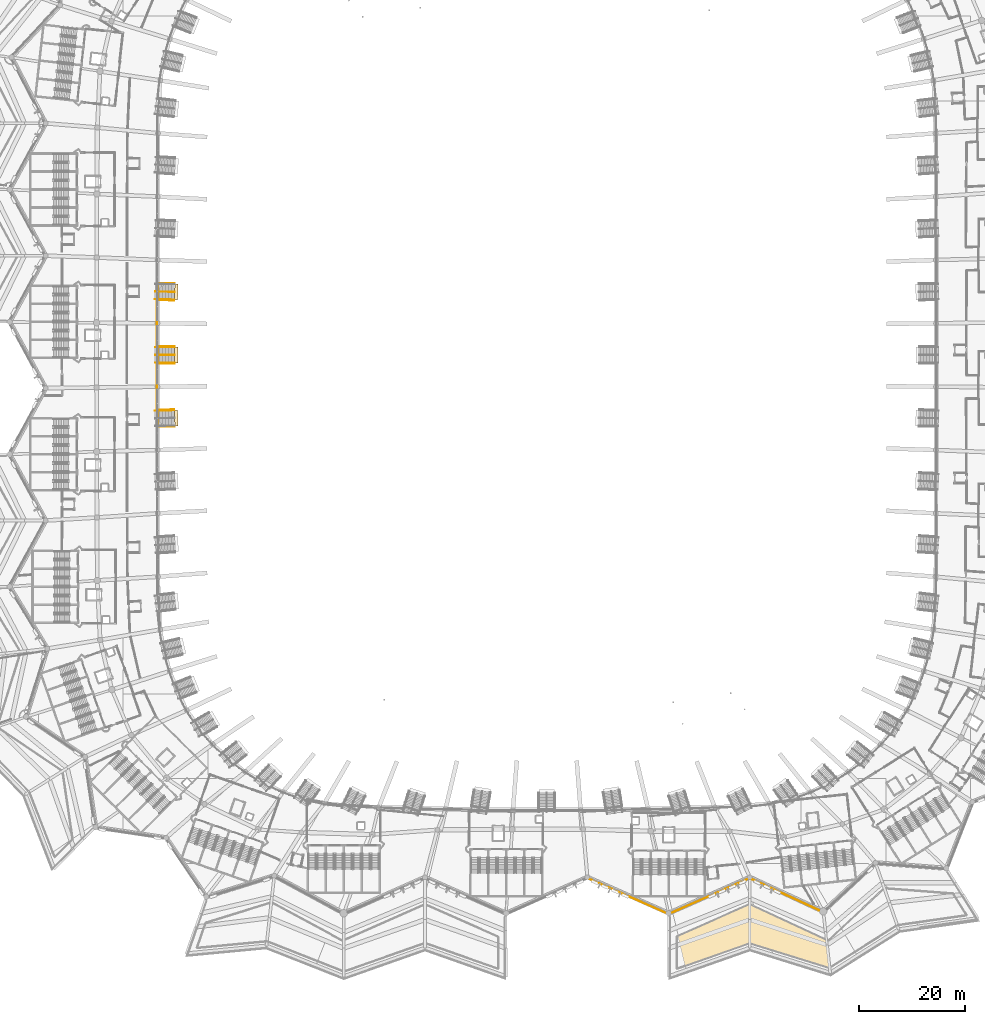
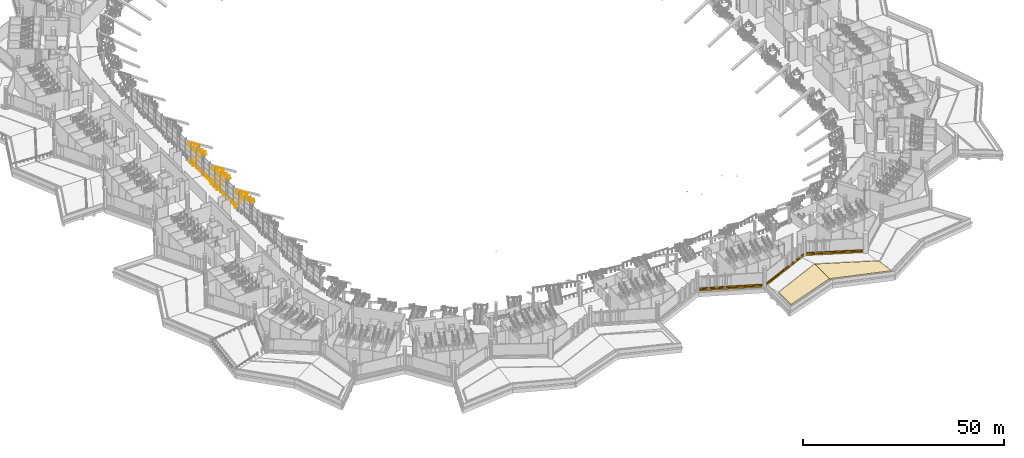
# One storey, part 126 of 173: 11 coverings, 11 railings.
"""IFC4 building model written with IfcOpenShell, lengths in metres."""

import ifcopenshell
import ifcopenshell.guid

model = None  # the IFC model being written
_history = None  # IfcOwnerHistory: only IFC2X3 demands one
_inside = {}  # id of a spatial element -> (the spatial element, [elements in it])
_under = {}  # id of a project, library or spatial element -> (it, [spatial elements below it])
_declared = {}  # id of a project -> (the project, [libraries it declares])
_typed = {}  # id of a type object -> (the type object, [elements of that type])
_made_of = {}  # id of a material, layer set ... -> (it, [elements and type objects made of it])


def new_model(schema):
    """Start an empty IFC model of exactly this schema.

    Asked for "IFC4X3", IfcOpenShell would pick the latest addendum, in which some entities
    have other attributes; the version numbers below select the first issue.
    IFC2X3 requires an IfcOwnerHistory on every rooted entity: one is made here for all.
    """
    global model, _history
    if schema == "IFC4X3":
        model = ifcopenshell.file(schema_version=(4, 3, 0, 0))
    else:
        model = ifcopenshell.file(schema=schema)
    _inside.clear()
    _under.clear()
    _declared.clear()
    _typed.clear()
    _made_of.clear()
    _history = None
    if model.schema == "IFC2X3":
        org = make("IfcOrganization", Name="unknown")
        user = make(
            "IfcPersonAndOrganization",
            ThePerson=make("IfcPerson", FamilyName="unknown"),
            TheOrganization=org,
        )
        app = make(
            "IfcApplication",
            ApplicationDeveloper=org,
            Version="unknown",
            ApplicationFullName="unknown",
            ApplicationIdentifier="unknown",
        )
        _history = make(
            "IfcOwnerHistory",
            OwningUser=user,
            OwningApplication=app,
            ChangeAction="ADDED",
            CreationDate=0,
        )
    return model


def make(cls, **values):
    """One entity of the class cls with the attributes given. An attribute that is None is left unset."""
    return model.create_entity(
        cls, **{name: value for name, value in values.items() if value is not None}
    )


def rooted(cls, **values):
    """An entity with a GlobalId (a new one), such as an element, a storey or a relation."""
    return make(cls, GlobalId=ifcopenshell.guid.new(), OwnerHistory=_history, **values)


def si_unit(unit_type, name, prefix=None):
    """IfcSIUnit, for example si_unit("LENGTHUNIT", "METRE", prefix="MILLI")."""
    return make("IfcSIUnit", UnitType=unit_type, Prefix=prefix, Name=name)


def assignment(units):
    """IfcUnitAssignment: the units of a project."""
    return None if units is None else make("IfcUnitAssignment", Units=units)


def point(xyz):
    """IfcCartesianPoint."""
    return None if xyz is None else make("IfcCartesianPoint", Coordinates=xyz)


def direction(xyz):
    """IfcDirection."""
    return None if xyz is None else make("IfcDirection", DirectionRatios=xyz)


def frame(location, z_axis=None, x_axis=None):
    """IfcAxis2Placement3D, a coordinate frame: its origin and axes. An axis left out is left unset."""
    return make(
        "IfcAxis2Placement3D",
        Location=point(location),
        Axis=direction(z_axis),
        RefDirection=direction(x_axis),
    )


def frame_2d(location, x_axis=None):
    """IfcAxis2Placement2D, a coordinate frame in the plane: its origin and x axis."""
    return make(
        "IfcAxis2Placement2D", Location=point(location), RefDirection=direction(x_axis)
    )


def origin():
    """The frame at (0, 0, 0) with its axes left unset."""
    return frame((0.0, 0.0, 0.0))


def origin_2d():
    """The frame at (0, 0) in the plane with its x axis left unset."""
    return frame_2d((0.0, 0.0))


def place(relative_to, where):
    """IfcLocalPlacement: puts the frame where relative to a parent placement (None: the world)."""
    return make(
        "IfcLocalPlacement", PlacementRelTo=relative_to, RelativePlacement=where
    )


def context(
    kind, dimensions, precision=None, world=None, true_north=None, identifier=None
):
    """IfcGeometricRepresentationContext, for example the 3D "Model" context."""
    return make(
        "IfcGeometricRepresentationContext",
        ContextIdentifier=identifier,
        ContextType=kind,
        CoordinateSpaceDimension=dimensions,
        Precision=precision,
        WorldCoordinateSystem=world,
        TrueNorth=true_north,
    )


def subcontext(parent, identifier, kind, view, scale=None):
    """IfcGeometricRepresentationSubContext, for example "Body" below "Model"."""
    return make(
        "IfcGeometricRepresentationSubContext",
        ContextIdentifier=identifier,
        ContextType=kind,
        ParentContext=parent,
        TargetScale=scale,
        TargetView=view,
    )


def project(units=None, contexts=None):
    """IfcProject with its units and contexts."""
    return rooted(
        "IfcProject",
        Name="project",
        RepresentationContexts=contexts,
        UnitsInContext=assignment(units),
    )


def spatial(cls, under=None, at=None, **own):
    """A site, building, storey or space (cls), placed at a placement, below another one or the project."""
    s = rooted(cls, ObjectPlacement=at, **own)
    if under is not None:
        _under.setdefault(under.id(), (under, []))[1].append(s)
    return s


def polyline(points):
    """IfcPolyline through the points."""
    return make("IfcPolyline", Points=[point(p) for p in points])


def profile(cls, at=None, kind="AREA", **sizes):
    """A parametric profile (cls). Its sizes go by their IFC names, for example OverallWidth=200.0."""
    return make(cls, ProfileType=kind, Position=at, **sizes)


def rectangle(**sizes):
    """IfcRectangleProfileDef."""
    return profile("IfcRectangleProfileDef", **sizes)


def circle(**sizes):
    """IfcCircleProfileDef."""
    return profile("IfcCircleProfileDef", **sizes)


def outline(outer, holes=None, kind="AREA"):
    """IfcArbitraryClosedProfileDef: a profile drawn as a closed curve; with holes, ...WithVoids."""
    if holes is None:
        return make("IfcArbitraryClosedProfileDef", ProfileType=kind, OuterCurve=outer)
    return make(
        "IfcArbitraryProfileDefWithVoids",
        ProfileType=kind,
        OuterCurve=outer,
        InnerCurves=holes,
    )


def extrude(swept, where, along, depth):
    """IfcExtrudedAreaSolid: the profile swept, set in the frame where, extruded along a direction by depth."""
    return make(
        "IfcExtrudedAreaSolid",
        SweptArea=swept,
        Position=where,
        ExtrudedDirection=direction(along),
        Depth=depth,
    )


def shape(context_of_items, identifier, shape_type, items):
    """IfcShapeRepresentation: the items that make up one representation, for example the "Body"."""
    return make(
        "IfcShapeRepresentation",
        ContextOfItems=context_of_items,
        RepresentationIdentifier=identifier,
        RepresentationType=shape_type,
        Items=items,
    )


def material(Name=None, Category=None):
    """IfcMaterial."""
    return make("IfcMaterial", Name=Name, Category=Category)


def layer(
    of_material, thickness, ventilated=None, Name=None, Category=None, Priority=None
):
    """IfcMaterialLayer: one layer of a wall or slab, of a material (None: an air gap)."""
    return make(
        "IfcMaterialLayer",
        Material=of_material,
        LayerThickness=thickness,
        IsVentilated=ventilated,
        Name=Name,
        Category=Category,
        Priority=Priority,
    )


def layer_set(layers, Name=None):
    """IfcMaterialLayerSet."""
    return make("IfcMaterialLayerSet", MaterialLayers=layers, LayerSetName=Name)


def made_of(thing, what):
    """Note that an element or type object is made of a material, layer set ...; save() writes the relation."""
    if what is not None:
        _made_of.setdefault(what.id(), (what, []))[1].append(thing)
    return thing


def type_object(cls, material=None, **own):
    """A type object (cls), such as IfcWallType, which elements share."""
    return made_of(rooted(cls, **own), material)


def element(
    cls,
    number,
    at=None,
    inside=None,
    cuts=None,
    type_object=None,
    material=None,
    context=None,
    identifier="Body",
    shape_type=None,
    held_by="IfcProductDefinitionShape",
    body=None,
    shapes=None,
    **own,
):
    """One element of the class cls, such as IfcWall. Its Tag is "e" and its number.

    at: its placement. inside: the storey or other place that contains it. cuts: it is an
    opening in that element (IfcRelVoidsElement). A single representation is given by context,
    identifier, shape_type and body (its items); several are given by shapes. held_by: the class
    of the entity that holds the representations. save() writes the other relations.
    """
    e = rooted(cls, Tag="e%d" % number, ObjectPlacement=at, **own)
    if body is not None:
        shapes = [shape(context, identifier, shape_type, body)]
    if shapes is not None:
        e.Representation = make(held_by, Representations=shapes)
    if inside is not None:
        _inside.setdefault(inside.id(), (inside, []))[1].append(e)
    if cuts is not None:
        rooted(
            "IfcRelVoidsElement", RelatingBuildingElement=cuts, RelatedOpeningElement=e
        )
    if type_object is not None:
        _typed.setdefault(type_object.id(), (type_object, []))[1].append(e)
    return made_of(e, material)


def aggregate(whole, parts):
    """IfcRelAggregates: a whole, such as a stair, and the parts it consists of."""
    return rooted("IfcRelAggregates", RelatingObject=whole, RelatedObjects=parts)


def save(model, path):
    """Write the relations noted so far, then the file.

    IfcRelAggregates (storeys below a building ...), IfcRelContainedInSpatialStructure (elements
    in a storey), IfcRelDefinesByType, IfcRelAssociatesMaterial and IfcRelDeclares: one each for
    every whole, place, type object, material and project.
    """
    for whole, parts in _under.values():
        aggregate(whole, parts)
    for where, things in _inside.values():
        rooted(
            "IfcRelContainedInSpatialStructure",
            RelatedElements=things,
            RelatingStructure=where,
        )
    for kind, things in _typed.values():
        rooted("IfcRelDefinesByType", RelatedObjects=things, RelatingType=kind)
    for what, things in _made_of.values():
        rooted("IfcRelAssociatesMaterial", RelatedObjects=things, RelatingMaterial=what)
    for by, libraries in _declared.values():
        rooted("IfcRelDeclares", RelatingContext=by, RelatedDefinitions=libraries)
    model.write(path)


model = new_model("IFC4")

# Units and contexts
model_context = context("Model", 3, precision=1e-05, world=origin(), true_north=direction((0.0, 1.0)))
body_context = subcontext(model_context, "Body", "Model", "MODEL_VIEW")
ifc_project = project(units=[si_unit("LENGTHUNIT", "METRE"), si_unit("AREAUNIT", "SQUARE_METRE"), si_unit("VOLUMEUNIT", "CUBIC_METRE"), si_unit("PLANEANGLEUNIT", "RADIAN"), si_unit("MASSUNIT", "GRAM", prefix="KILO")], contexts=[model_context])

# Site, building, storey
site_placement = place(None, origin())
site = spatial("IfcSite", under=ifc_project, at=site_placement, CompositionType="ELEMENT")
building_placement = place(site_placement, origin())
building = spatial("IfcBuilding", under=site, at=building_placement, Name="Meseta Stadium", CompositionType="ELEMENT")
storey_placement = place(building_placement, frame((0.0, 0.0, 18.0)))
storey = spatial("IfcBuildingStorey", under=building, at=storey_placement, Name="L03", CompositionType="ELEMENT", Elevation=18.0)

# Coverings
ifc_material_1 = material(Name="Guadarrama granite cladding", Category="masonry")
ifc_layer_1 = layer(ifc_material_1, 0.06005859375)
ifc_layer_set_1 = layer_set([ifc_layer_1], Name="Granite plinth cladding 60")
covering_type_1 = type_object("IfcCoveringType", Name="Granite plinth cladding 60", PredefinedType="CLADDING", material=ifc_layer_set_1)
for number, where, z_axis, x_axis, name in (
    (1, (15.247802734375, -102.131591796875, 0.0), (0.0, 0.0, 1.0), (-0.914139367606, 0.405400069798, 0.0), "Granite plinth L03 F47"),
    (2, (30.752197265625, -102.131591796875, 0.0), (0.0, 0.0, 1.0), (-0.914139367606, -0.405400069798, 0.0), "Granite plinth L03 F48"),
):
    element("IfcCovering", number, at=place(storey_placement, frame(where, z_axis=z_axis, x_axis=x_axis)), inside=storey, type_object=covering_type_1, Name=name, PredefinedType="CLADDING", context=body_context, shape_type="SweptSolid", body=[
        extrude(rectangle(XDim=15.58447265625, YDim=0.06005859375, at=origin_2d()), origin(), (0.0, 0.0, 1.0), 0.5),
    ])
covering_1_placement = place(storey_placement, frame((45.089599609375, -101.913818359375, 0.0), z_axis=(0.0, 0.0, 1.0), x_axis=(-0.906702748296, 0.421770229193, 0.0)))
element("IfcCovering", 3, at=covering_1_placement, inside=storey, type_object=covering_type_1, Name="Granite plinth L03 F49", PredefinedType="CLADDING", context=body_context, shape_type="SweptSolid", body=[
    extrude(rectangle(XDim=13.907958984375, YDim=0.06005859375, at=origin_2d()), origin(), (0.0, 0.0, 1.0), 0.5),
])
ifc_material_2 = material(Name="Planting soil")
ifc_layer_2 = layer(ifc_material_2, 0.449951171875)
ifc_layer_set_2 = layer_set([ifc_layer_2], Name="Planting soil 450")
covering_type_2 = type_object("IfcCoveringType", Name="Planting soil 450", PredefinedType="FLOORING", material=ifc_layer_set_2)
covering_2_placement = place(storey_placement, origin())
element("IfcCovering", 4, at=covering_2_placement, inside=storey, type_object=covering_type_2, Name="Roof garden planting bed 7.1 panel 01", PredefinedType="FLOORING", context=body_context, shape_type="SweptSolid", body=[
    extrude(outline(polyline([(24.5, -109.821533203125), (24.5, -115.88134765625), (38.3037109375, -111.020263671875), (38.333251953125, -111.029296875), (38.333251953125, -103.728515625), (38.287353515625, -103.70703125), (24.5, -109.821533203125)])), origin(), (0.0, 0.0, 1.0), 0.449951171875),
])
covering_3_placement = place(storey_placement, origin())
element("IfcCovering", 5, at=covering_3_placement, inside=storey, type_object=covering_type_2, Name="Roof garden planting bed 7.1 panel 02", PredefinedType="FLOORING", context=body_context, shape_type="SweptSolid", body=[
    extrude(outline(polyline([(53.400390625, -115.67919921875), (52.8125, -110.4638671875), (38.333251953125, -103.728515625), (38.333251953125, -111.029296875), (53.37158203125, -115.697265625), (53.400390625, -115.67919921875)])), origin(), (0.0, 0.0, 1.0), 0.449951171875),
])

# Railings
ifc_material_3 = material(Name="Steel S355", Category="steel")
railing_type_1 = type_object("IfcRailingType", Name="Plate edge guard 1100", PredefinedType="GUARDRAIL", material=ifc_material_3)
railing_1_placement = place(storey_placement, frame((-73.593994140625, 10.394287109375, 0.0)))
element("IfcRailing", 6, at=railing_1_placement, inside=storey, type_object=railing_type_1, Name="L03 inner edge guard 33", PredefinedType="GUARDRAIL", context=body_context, shape_type="SweptSolid", body=[
    extrude(circle(Radius=0.02490234375, at=origin_2d()), frame((0.0, 0.0, 1.0751953125), z_axis=(-0.000664010478, -0.999999779545, 0.0), x_axis=(0.999999779545, -0.000664010478, 0.0)), (0.0, 0.0, 1.0), 8.82421875),
    extrude(circle(Radius=0.02001953125, at=origin_2d()), origin(), (0.0, 0.0, 1.0), 1.050048828125),
    extrude(circle(Radius=0.02001953125, at=origin_2d()), frame((-0.000732421875, -1.10302734375, 0.0)), (0.0, 0.0, 1.0), 1.050048828125),
    extrude(circle(Radius=0.02001953125, at=origin_2d()), frame((-0.00146484375, -2.2060546875, 0.0)), (0.0, 0.0, 1.0), 1.050048828125),
    extrude(circle(Radius=0.02001953125, at=origin_2d()), frame((-0.002197265625, -3.30908203125, 0.0)), (0.0, 0.0, 1.0), 1.050048828125),
    extrude(circle(Radius=0.02001953125, at=origin_2d()), frame((-0.0029296875, -4.412109375, 0.0)), (0.0, 0.0, 1.0), 1.050048828125),
    extrude(circle(Radius=0.02001953125, at=origin_2d()), frame((-0.003662109375, -5.51513671875, 0.0)), (0.0, 0.0, 1.0), 1.050048828125),
    extrude(circle(Radius=0.02001953125, at=origin_2d()), frame((-0.00439453125, -6.6181640625, 0.0)), (0.0, 0.0, 1.0), 1.050048828125),
    extrude(circle(Radius=0.02001953125, at=origin_2d()), frame((-0.005126953125, -7.72119140625, 0.0)), (0.0, 0.0, 1.0), 1.050048828125),
    extrude(circle(Radius=0.02001953125, at=origin_2d()), frame((-0.005859375, -8.82421875, 0.0)), (0.0, 0.0, 1.0), 1.050048828125),
])
railing_2_placement = place(storey_placement, frame((-73.599853515625, -1.570068359375, 0.0)))
element("IfcRailing", 7, at=railing_2_placement, inside=storey, type_object=railing_type_1, Name="L03 inner edge guard 34", PredefinedType="GUARDRAIL", context=body_context, shape_type="SweptSolid", body=[
    extrude(circle(Radius=0.02490234375, at=origin_2d()), frame((0.0, 0.0, 1.0751953125), z_axis=(0.000664010478, -0.999999779545, 0.0), x_axis=(0.999999779545, 0.000664010478, 0.0)), (0.0, 0.0, 1.0), 8.82421875),
    extrude(circle(Radius=0.02001953125, at=origin_2d()), origin(), (0.0, 0.0, 1.0), 1.050048828125),
    extrude(circle(Radius=0.02001953125, at=origin_2d()), frame((0.000732421875, -1.10302734375, 0.0)), (0.0, 0.0, 1.0), 1.050048828125),
    extrude(circle(Radius=0.02001953125, at=origin_2d()), frame((0.00146484375, -2.2060546875, 0.0)), (0.0, 0.0, 1.0), 1.050048828125),
    extrude(circle(Radius=0.02001953125, at=origin_2d()), frame((0.002197265625, -3.30908203125, 0.0)), (0.0, 0.0, 1.0), 1.050048828125),
    extrude(circle(Radius=0.02001953125, at=origin_2d()), frame((0.0029296875, -4.412109375, 0.0)), (0.0, 0.0, 1.0), 1.050048828125),
    extrude(circle(Radius=0.02001953125, at=origin_2d()), frame((0.003662109375, -5.51513671875, 0.0)), (0.0, 0.0, 1.0), 1.050048828125),
    extrude(circle(Radius=0.02001953125, at=origin_2d()), frame((0.00439453125, -6.6181640625, 0.0)), (0.0, 0.0, 1.0), 1.050048828125),
    extrude(circle(Radius=0.02001953125, at=origin_2d()), frame((0.005126953125, -7.72119140625, 0.0)), (0.0, 0.0, 1.0), 1.050048828125),
    extrude(circle(Radius=0.02001953125, at=origin_2d()), frame((0.005859375, -8.82421875, 0.0)), (0.0, 0.0, 1.0), 1.050048828125),
])

# Coverings
ifc_material_4 = material(Name="Precast concrete C40/50, terracotta pigment", Category="masonry")
ifc_layer_3 = layer(ifc_material_4, 0.080078125)
ifc_layer_set_3 = layer_set([ifc_layer_3], Name="Precast concrete C40/50, terracotta pigment")
covering_type_3 = type_object("IfcCoveringType", Name="Terracotta precast band 80", PredefinedType="CLADDING", material=ifc_layer_set_3)
for number, where, z_axis, x_axis, name in (
    (8, (15.24365234375, -102.140625, 0.5), (0.0, 0.0, 1.0), (-0.914139367606, 0.405400069798, 0.0), "Terracotta band L03 F47"),
    (9, (30.75634765625, -102.140625, 0.5), (0.0, 0.0, 1.0), (-0.914139367606, -0.405400069798, 0.0), "Terracotta band L03 F48"),
):
    element("IfcCovering", number, at=place(storey_placement, frame(where, z_axis=z_axis, x_axis=x_axis)), inside=storey, type_object=covering_type_3, Name=name, PredefinedType="CLADDING", context=body_context, shape_type="SweptSolid", body=[
        extrude(rectangle(XDim=15.58447265625, YDim=0.080078125, at=origin_2d()), origin(), (0.0, 0.0, 1.0), 0.449951171875),
    ])
covering_4_placement = place(storey_placement, frame((45.085205078125, -101.9228515625, 0.5), z_axis=(0.0, 0.0, 1.0), x_axis=(-0.906702748296, 0.421770229193, 0.0)))
element("IfcCovering", 10, at=covering_4_placement, inside=storey, type_object=covering_type_3, Name="Terracotta band L03 F49", PredefinedType="CLADDING", context=body_context, shape_type="SweptSolid", body=[
    extrude(rectangle(XDim=13.907958984375, YDim=0.080078125, at=origin_2d()), origin(), (0.0, 0.0, 1.0), 0.449951171875),
])
ifc_material_5 = material(Name="Stone paving", Category="masonry")
ifc_layer_4 = layer(ifc_material_5, 0.02001953125)
ifc_layer_set_4 = layer_set([ifc_layer_4], Name="Vomitory exit threshold plate 20")
covering_type_4 = type_object("IfcCoveringType", Name="Vomitory exit threshold plate 20", PredefinedType="FLOORING", material=ifc_layer_set_4)
for number, where, z_axis, x_axis, name in (
    (11, (-69.957275390625, 11.885009765625, 2.2919921875), (0.0, 0.0, 1.0), (0.999759622364, -0.021924814479, 0.0), "Vomitory V-upper-32 exit threshold"),
    (12, (-69.964111328125, 0.0, 2.2919921875), (0.0, 0.0, 1.0), (1.0, 0.0, 0.0), "Vomitory V-upper-33 exit threshold"),
    (13, (-69.957275390625, -11.885009765625, 2.2919921875), (0.0, 0.0, 1.0), (0.999759622364, 0.021924814479, 0.0), "Vomitory V-upper-34 exit threshold"),
):
    element("IfcCovering", number, at=place(storey_placement, frame(where, z_axis=z_axis, x_axis=x_axis)), inside=storey, type_object=covering_type_4, Name=name, PredefinedType="FLOORING", context=body_context, shape_type="SweptSolid", body=[
        extrude(rectangle(XDim=0.60009765625, YDim=3.0, at=origin_2d()), origin(), (0.0, 0.0, 1.0), 0.02001953125),
    ])

# Railings
ifc_material_6 = material(Name="Steel S355", Category="steel")
railing_type_2 = type_object("IfcRailingType", Name="Vomitory slot guard 1100", PredefinedType="GUARDRAIL", material=ifc_material_6)
railing_3_placement = place(storey_placement, frame((-70.326416015625, 10.292724609375, 2.31201171875)))
element("IfcRailing", 14, at=railing_3_placement, inside=storey, type_object=railing_type_2, Name="Vomitory V-upper-32 slot guard", PredefinedType="GUARDRAIL", context=body_context, shape_type="SweptSolid", body=[
    extrude(circle(Radius=0.02490234375, at=origin_2d()), frame((0.0, 0.0, 1.0751953125), z_axis=(-0.847784587838, 0.018566575974, 0.530015636449), x_axis=(-0.021894860368, -0.999760278812, 0.0)), (0.0, 0.0, 1.0), 3.655517578125),
    extrude(circle(Radius=0.02490234375, at=origin_2d()), frame((-3.09912109375, 0.06787109375, 3.0126953125), z_axis=(0.021896458331, 0.999760243815, 0.0), x_axis=(-0.999760243815, 0.021896458331, 0.0)), (0.0, 0.0, 1.0), 3.199951171875),
    extrude(circle(Radius=0.02490234375, at=origin_2d()), frame((-3.029052734375, 3.26708984375, 3.0126953125), z_axis=(0.847803370628, -0.018565524776, -0.529985628146), x_axis=(0.021893136511, 0.999760316563, 0.0)), (0.0, 0.0, 1.0), 3.65576171875),
    extrude(circle(Radius=0.02001953125, at=origin_2d()), origin(), (0.0, 0.0, 1.0), 1.050048828125),
    extrude(circle(Radius=0.02001953125, at=origin_2d()), frame((-0.77490234375, 0.01708984375, 0.484375)), (0.0, 0.0, 1.0), 1.050048828125),
    extrude(circle(Radius=0.02001953125, at=origin_2d()), frame((-1.549560546875, 0.033935546875, 0.96875)), (0.0, 0.0, 1.0), 1.050048828125),
    extrude(circle(Radius=0.02001953125, at=origin_2d()), frame((-2.32421875, 0.05078125, 1.453125)), (0.0, 0.0, 1.0), 1.050048828125),
    extrude(circle(Radius=0.02001953125, at=origin_2d()), frame((-3.09912109375, 0.06787109375, 1.9375)), (0.0, 0.0, 1.0), 1.050048828125),
    extrude(circle(Radius=0.02001953125, at=origin_2d()), frame((-3.07568359375, 1.13427734375, 1.9375)), (0.0, 0.0, 1.0), 1.050048828125),
    extrude(circle(Radius=0.02001953125, at=origin_2d()), frame((-3.052490234375, 2.20068359375, 1.9375)), (0.0, 0.0, 1.0), 1.050048828125),
    extrude(circle(Radius=0.02001953125, at=origin_2d()), frame((-3.029052734375, 3.26708984375, 1.9375)), (0.0, 0.0, 1.0), 1.050048828125),
    extrude(circle(Radius=0.02001953125, at=origin_2d()), frame((-2.254150390625, 3.25, 1.453125)), (0.0, 0.0, 1.0), 1.050048828125),
    extrude(circle(Radius=0.02001953125, at=origin_2d()), frame((-1.4794921875, 3.233154296875, 0.96875)), (0.0, 0.0, 1.0), 1.050048828125),
    extrude(circle(Radius=0.02001953125, at=origin_2d()), frame((-0.70458984375, 3.21630859375, 0.484375)), (0.0, 0.0, 1.0), 1.050048828125),
    extrude(circle(Radius=0.02001953125, at=origin_2d()), frame((0.0703125, 3.19921875, 0.0)), (0.0, 0.0, 1.0), 1.050048828125),
])
railing_4_placement = place(storey_placement, frame((-70.298095703125, -1.60009765625, 2.31201171875)))
element("IfcRailing", 15, at=railing_4_placement, inside=storey, type_object=railing_type_2, Name="Vomitory V-upper-33 slot guard", PredefinedType="GUARDRAIL", context=body_context, shape_type="SweptSolid", body=[
    extrude(circle(Radius=0.02490234375, at=origin_2d()), frame((0.0, 0.0, 1.0751953125), z_axis=(-0.848005807586, 0.0, 0.529986934084), x_axis=(0.0, -1.0, 0.0)), (0.0, 0.0, 1.0), 3.65576171875),
    extrude(circle(Radius=0.02490234375, at=origin_2d()), frame((-3.10009765625, 0.0, 3.0126953125), z_axis=(0.0, 1.0, 0.0), x_axis=(-1.0, 0.0, 0.0)), (0.0, 0.0, 1.0), 3.2001953125),
    extrude(circle(Radius=0.02490234375, at=origin_2d()), frame((-3.10009765625, 3.2001953125, 3.0126953125), z_axis=(0.848005807586, 0.0, -0.529986934084), x_axis=(0.0, 1.0, 0.0)), (0.0, 0.0, 1.0), 3.65576171875),
    extrude(circle(Radius=0.02001953125, at=origin_2d()), origin(), (0.0, 0.0, 1.0), 1.050048828125),
    extrude(circle(Radius=0.02001953125, at=origin_2d()), frame((-0.77490234375, 0.0, 0.484375)), (0.0, 0.0, 1.0), 1.050048828125),
    extrude(circle(Radius=0.02001953125, at=origin_2d()), frame((-1.550048828125, 0.0, 0.96875)), (0.0, 0.0, 1.0), 1.050048828125),
    extrude(circle(Radius=0.02001953125, at=origin_2d()), frame((-2.3251953125, 0.0, 1.453125)), (0.0, 0.0, 1.0), 1.050048828125),
    extrude(circle(Radius=0.02001953125, at=origin_2d()), frame((-3.10009765625, 0.0, 1.9375)), (0.0, 0.0, 1.0), 1.050048828125),
    extrude(circle(Radius=0.02001953125, at=origin_2d()), frame((-3.10009765625, 1.066650390625, 1.9375)), (0.0, 0.0, 1.0), 1.050048828125),
    extrude(circle(Radius=0.02001953125, at=origin_2d()), frame((-3.10009765625, 2.133544921875, 1.9375)), (0.0, 0.0, 1.0), 1.050048828125),
    extrude(circle(Radius=0.02001953125, at=origin_2d()), frame((-3.10009765625, 3.2001953125, 1.9375)), (0.0, 0.0, 1.0), 1.050048828125),
    extrude(circle(Radius=0.02001953125, at=origin_2d()), frame((-2.3251953125, 3.2001953125, 1.453125)), (0.0, 0.0, 1.0), 1.050048828125),
    extrude(circle(Radius=0.02001953125, at=origin_2d()), frame((-1.550048828125, 3.2001953125, 0.96875)), (0.0, 0.0, 1.0), 1.050048828125),
    extrude(circle(Radius=0.02001953125, at=origin_2d()), frame((-0.77490234375, 3.2001953125, 0.484375)), (0.0, 0.0, 1.0), 1.050048828125),
    extrude(circle(Radius=0.02001953125, at=origin_2d()), frame((0.0, 3.2001953125, 0.0)), (0.0, 0.0, 1.0), 1.050048828125),
])
railing_5_placement = place(storey_placement, frame((-70.256103515625, -13.491943359375, 2.31201171875)))
element("IfcRailing", 16, at=railing_5_placement, inside=storey, type_object=railing_type_2, Name="Vomitory V-upper-34 slot guard", PredefinedType="GUARDRAIL", context=body_context, shape_type="SweptSolid", body=[
    extrude(circle(Radius=0.02490234375, at=origin_2d()), frame((0.0, 0.0, 1.0751953125), z_axis=(-0.847803370628, -0.018565524776, 0.529985628146), x_axis=(0.021893136511, -0.999760316563, 0.0)), (0.0, 0.0, 1.0), 3.65576171875),
    extrude(circle(Radius=0.02490234375, at=origin_2d()), frame((-3.099365234375, -0.06787109375, 3.0126953125), z_axis=(-0.021896458331, 0.999760243815, 0.0), x_axis=(-0.999760243815, -0.021896458331, 0.0)), (0.0, 0.0, 1.0), 3.199951171875),
    extrude(circle(Radius=0.02490234375, at=origin_2d()), frame((-3.16943359375, 3.13134765625, 3.0126953125), z_axis=(0.847784587838, 0.018566575974, -0.530015636449), x_axis=(-0.021894860368, 0.999760278812, 0.0)), (0.0, 0.0, 1.0), 3.655517578125),
    extrude(circle(Radius=0.02001953125, at=origin_2d()), origin(), (0.0, 0.0, 1.0), 1.050048828125),
    extrude(circle(Radius=0.02001953125, at=origin_2d()), frame((-0.77490234375, -0.01708984375, 0.484375)), (0.0, 0.0, 1.0), 1.050048828125),
    extrude(circle(Radius=0.02001953125, at=origin_2d()), frame((-1.5498046875, -0.033935546875, 0.96875)), (0.0, 0.0, 1.0), 1.050048828125),
    extrude(circle(Radius=0.02001953125, at=origin_2d()), frame((-2.324462890625, -0.05078125, 1.453125)), (0.0, 0.0, 1.0), 1.050048828125),
    extrude(circle(Radius=0.02001953125, at=origin_2d()), frame((-3.099365234375, -0.06787109375, 1.9375)), (0.0, 0.0, 1.0), 1.050048828125),
    extrude(circle(Radius=0.02001953125, at=origin_2d()), frame((-3.122802734375, 0.99853515625, 1.9375)), (0.0, 0.0, 1.0), 1.050048828125),
    extrude(circle(Radius=0.02001953125, at=origin_2d()), frame((-3.14599609375, 2.06494140625, 1.9375)), (0.0, 0.0, 1.0), 1.050048828125),
    extrude(circle(Radius=0.02001953125, at=origin_2d()), frame((-3.16943359375, 3.13134765625, 1.9375)), (0.0, 0.0, 1.0), 1.050048828125),
    extrude(circle(Radius=0.02001953125, at=origin_2d()), frame((-2.39453125, 3.1484375, 1.453125)), (0.0, 0.0, 1.0), 1.050048828125),
    extrude(circle(Radius=0.02001953125, at=origin_2d()), frame((-1.619873046875, 3.165283203125, 0.96875)), (0.0, 0.0, 1.0), 1.050048828125),
    extrude(circle(Radius=0.02001953125, at=origin_2d()), frame((-0.84521484375, 3.18212890625, 0.484375)), (0.0, 0.0, 1.0), 1.050048828125),
    extrude(circle(Radius=0.02001953125, at=origin_2d()), frame((-0.0703125, 3.19921875, 0.0)), (0.0, 0.0, 1.0), 1.050048828125),
])
ifc_material_7 = material(Name="Steel S355", Category="steel")
railing_type_3 = type_object("IfcRailingType", Name="Vomitory stair guard 1100", PredefinedType="GUARDRAIL", material=ifc_material_7)
railing_6_placement = place(storey_placement, frame((-73.962158203125, 10.5224609375, 0.1650390625)))
element("IfcRailing", 17, at=railing_6_placement, inside=storey, type_object=railing_type_3, Name="Vomitory V-upper-32 guard right", PredefinedType="GUARDRAIL", context=body_context, shape_type="SweptSolid", body=[
    extrude(circle(Radius=0.02490234375, at=origin_2d()), frame((0.0, 0.0, 1.0751953125), z_axis=(0.861129216116, -0.018891000515, 0.508035041361), x_axis=(0.021932198011, 0.999759460416, 0.0)), (0.0, 0.0, 1.0), 4.22607421875),
    extrude(circle(Radius=0.02001953125, at=origin_2d()), origin(), (0.0, 0.0, 1.0), 1.050048828125),
    extrude(circle(Radius=0.02001953125, at=origin_2d()), frame((0.90966796875, -0.02001953125, 0.53662109375)), (0.0, 0.0, 1.0), 1.050048828125),
    extrude(circle(Radius=0.02001953125, at=origin_2d()), frame((1.819580078125, -0.0400390625, 1.073486328125)), (0.0, 0.0, 1.0), 1.050048828125),
    extrude(circle(Radius=0.02001953125, at=origin_2d()), frame((2.7294921875, -0.059814453125, 1.6103515625)), (0.0, 0.0, 1.0), 1.050048828125),
    extrude(circle(Radius=0.02001953125, at=origin_2d()), frame((3.63916015625, -0.079833984375, 2.14697265625)), (0.0, 0.0, 1.0), 1.050048828125),
])
for number, where, name in (
    (18, (-73.938232421875, 1.449951171875, 0.1650390625), "Vomitory V-upper-33 guard left"),
    (19, (-73.938232421875, -1.449951171875, 0.1650390625), "Vomitory V-upper-33 guard right"),
):
    element("IfcRailing", number, at=place(storey_placement, frame(where)), inside=storey, type_object=railing_type_3, Name=name, PredefinedType="GUARDRAIL", context=body_context, shape_type="SweptSolid", body=[
        extrude(circle(Radius=0.02490234375, at=origin_2d()), frame((0.0, 0.0, 1.0751953125), z_axis=(0.861342569251, 0.0, 0.50802458444), x_axis=(0.0, 1.0, 0.0)), (0.0, 0.0, 1.0), 4.22607421875),
        extrude(circle(Radius=0.02001953125, at=origin_2d()), origin(), (0.0, 0.0, 1.0), 1.050048828125),
        extrude(circle(Radius=0.02001953125, at=origin_2d()), frame((0.91015625, 0.0, 0.53662109375)), (0.0, 0.0, 1.0), 1.050048828125),
        extrude(circle(Radius=0.02001953125, at=origin_2d()), frame((1.820068359375, 0.0, 1.073486328125)), (0.0, 0.0, 1.0), 1.050048828125),
        extrude(circle(Radius=0.02001953125, at=origin_2d()), frame((2.72998046875, 0.0, 1.6103515625)), (0.0, 0.0, 1.0), 1.050048828125),
        extrude(circle(Radius=0.02001953125, at=origin_2d()), frame((3.64013671875, 0.0, 2.14697265625)), (0.0, 0.0, 1.0), 1.050048828125),
    ])
railing_7_placement = place(storey_placement, frame((-73.962158203125, -10.5224609375, 0.1650390625)))
element("IfcRailing", 20, at=railing_7_placement, inside=storey, type_object=railing_type_3, Name="Vomitory V-upper-34 guard left", PredefinedType="GUARDRAIL", context=body_context, shape_type="SweptSolid", body=[
    extrude(circle(Radius=0.02490234375, at=origin_2d()), frame((0.0, 0.0, 1.0751953125), z_axis=(0.861129216116, 0.018891000515, 0.508035041361), x_axis=(-0.021932198011, 0.999759460416, 0.0)), (0.0, 0.0, 1.0), 4.22607421875),
    extrude(circle(Radius=0.02001953125, at=origin_2d()), origin(), (0.0, 0.0, 1.0), 1.050048828125),
    extrude(circle(Radius=0.02001953125, at=origin_2d()), frame((0.90966796875, 0.02001953125, 0.53662109375)), (0.0, 0.0, 1.0), 1.050048828125),
    extrude(circle(Radius=0.02001953125, at=origin_2d()), frame((1.819580078125, 0.0400390625, 1.073486328125)), (0.0, 0.0, 1.0), 1.050048828125),
    extrude(circle(Radius=0.02001953125, at=origin_2d()), frame((2.7294921875, 0.059814453125, 1.6103515625)), (0.0, 0.0, 1.0), 1.050048828125),
    extrude(circle(Radius=0.02001953125, at=origin_2d()), frame((3.63916015625, 0.079833984375, 2.14697265625)), (0.0, 0.0, 1.0), 1.050048828125),
])
ifc_material_8 = material(Name="Steel S355", Category="steel")
railing_type_4 = type_object("IfcRailingType", Name="Vomitory stair handrail 900", PredefinedType="HANDRAIL", material=ifc_material_8)
railing_8_placement = place(storey_placement, frame((-73.930419921875, 11.97216796875, 0.1650390625)))
element("IfcRailing", 21, at=railing_8_placement, inside=storey, type_object=railing_type_4, Name="Vomitory V-upper-32 central handrail", PredefinedType="HANDRAIL", context=body_context, shape_type="SweptSolid", body=[
    extrude(circle(Radius=0.02490234375, at=origin_2d()), frame((0.0, 0.0, 0.875), z_axis=(0.861129216116, -0.018891000515, 0.508035041361), x_axis=(0.021932198011, 0.999759460416, 0.0)), (0.0, 0.0, 1.0), 4.22607421875),
    extrude(circle(Radius=0.02001953125, at=origin_2d()), origin(), (0.0, 0.0, 1.0), 0.849853515625),
    extrude(circle(Radius=0.02001953125, at=origin_2d()), frame((0.90966796875, -0.02001953125, 0.53662109375)), (0.0, 0.0, 1.0), 0.849853515625),
    extrude(circle(Radius=0.02001953125, at=origin_2d()), frame((1.819580078125, -0.0400390625, 1.073486328125)), (0.0, 0.0, 1.0), 0.849853515625),
    extrude(circle(Radius=0.02001953125, at=origin_2d()), frame((2.7294921875, -0.059814453125, 1.6103515625)), (0.0, 0.0, 1.0), 0.849853515625),
    extrude(circle(Radius=0.02001953125, at=origin_2d()), frame((3.63916015625, -0.079833984375, 2.14697265625)), (0.0, 0.0, 1.0), 0.849853515625),
])
railing_9_placement = place(storey_placement, frame((-73.938232421875, 0.0, 0.1650390625)))
element("IfcRailing", 22, at=railing_9_placement, inside=storey, type_object=railing_type_4, Name="Vomitory V-upper-33 central handrail", PredefinedType="HANDRAIL", context=body_context, shape_type="SweptSolid", body=[
    extrude(circle(Radius=0.02490234375, at=origin_2d()), frame((0.0, 0.0, 0.875), z_axis=(0.861342569251, 0.0, 0.50802458444), x_axis=(0.0, 1.0, 0.0)), (0.0, 0.0, 1.0), 4.22607421875),
    extrude(circle(Radius=0.02001953125, at=origin_2d()), origin(), (0.0, 0.0, 1.0), 0.849853515625),
    extrude(circle(Radius=0.02001953125, at=origin_2d()), frame((0.91015625, 0.0, 0.53662109375)), (0.0, 0.0, 1.0), 0.849853515625),
    extrude(circle(Radius=0.02001953125, at=origin_2d()), frame((1.820068359375, 0.0, 1.073486328125)), (0.0, 0.0, 1.0), 0.849853515625),
    extrude(circle(Radius=0.02001953125, at=origin_2d()), frame((2.72998046875, 0.0, 1.6103515625)), (0.0, 0.0, 1.0), 0.849853515625),
    extrude(circle(Radius=0.02001953125, at=origin_2d()), frame((3.64013671875, 0.0, 2.14697265625)), (0.0, 0.0, 1.0), 0.849853515625),
])

save(model, "model.ifc")
